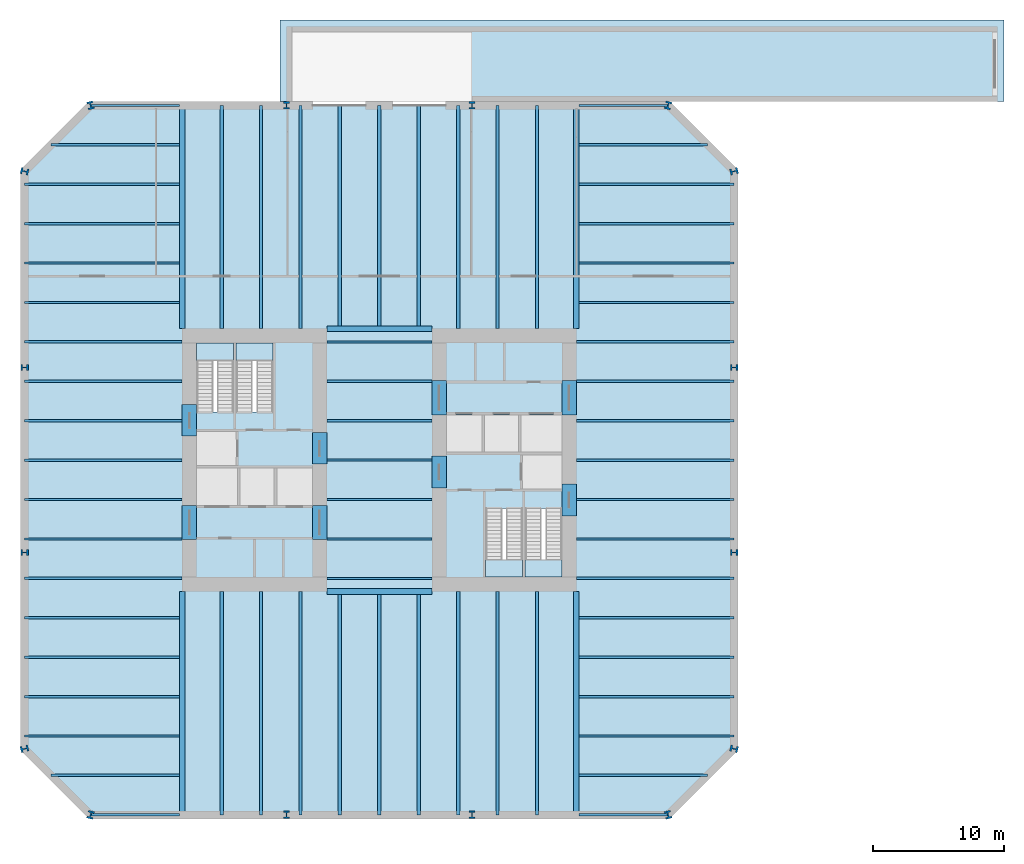
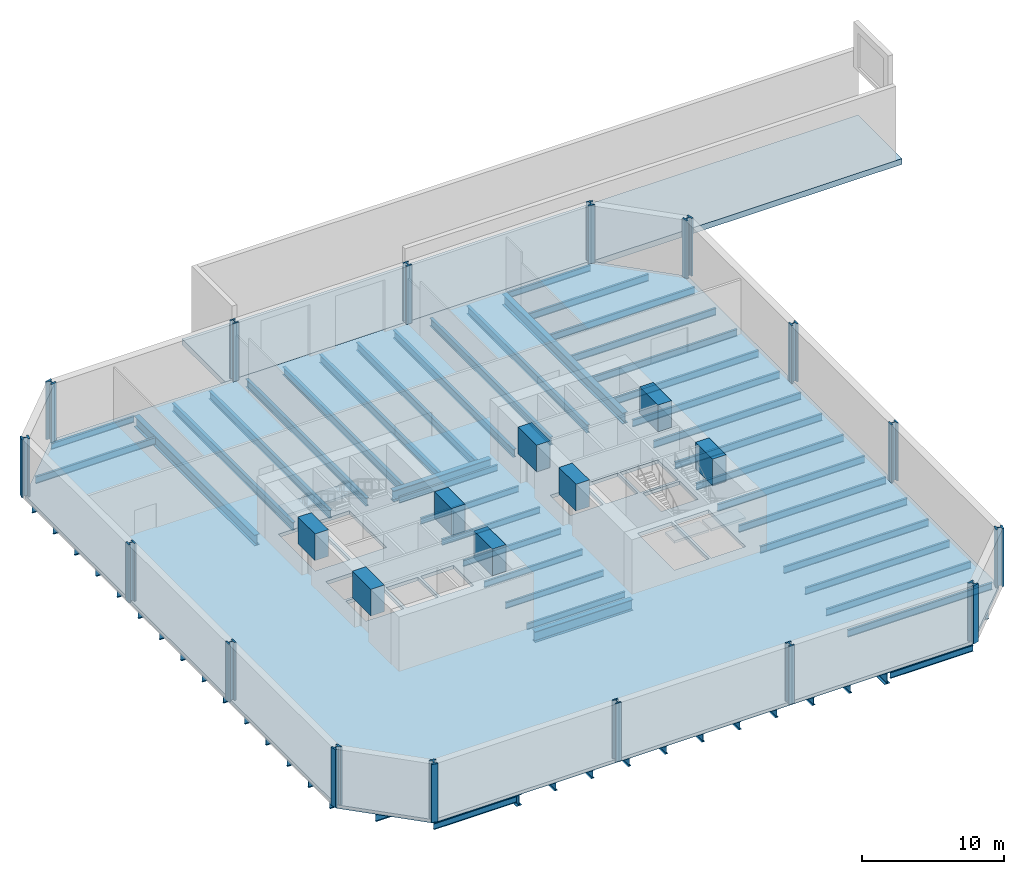
# One storey, part 1 of 6: 77 beams, 16 columns, 5 slabs, 1 footing, 4 elements without a shape of their own.
"""IFC4 building model written with IfcOpenShell, lengths in metres."""

import ifcopenshell
import ifcopenshell.guid

model = None  # the IFC model being written
_history = None  # IfcOwnerHistory: only IFC2X3 demands one
_inside = {}  # id of a spatial element -> (the spatial element, [elements in it])
_under = {}  # id of a project, library or spatial element -> (it, [spatial elements below it])
_declared = {}  # id of a project -> (the project, [libraries it declares])
_typed = {}  # id of a type object -> (the type object, [elements of that type])
_made_of = {}  # id of a material, layer set ... -> (it, [elements and type objects made of it])


def new_model(schema):
    """Start an empty IFC model of exactly this schema.

    Asked for "IFC4X3", IfcOpenShell would pick the latest addendum, in which some entities
    have other attributes; the version numbers below select the first issue.
    IFC2X3 requires an IfcOwnerHistory on every rooted entity: one is made here for all.
    """
    global model, _history
    if schema == "IFC4X3":
        model = ifcopenshell.file(schema_version=(4, 3, 0, 0))
    else:
        model = ifcopenshell.file(schema=schema)
    _inside.clear()
    _under.clear()
    _declared.clear()
    _typed.clear()
    _made_of.clear()
    _history = None
    if model.schema == "IFC2X3":
        org = make("IfcOrganization", Name="unknown")
        user = make(
            "IfcPersonAndOrganization",
            ThePerson=make("IfcPerson", FamilyName="unknown"),
            TheOrganization=org,
        )
        app = make(
            "IfcApplication",
            ApplicationDeveloper=org,
            Version="unknown",
            ApplicationFullName="unknown",
            ApplicationIdentifier="unknown",
        )
        _history = make(
            "IfcOwnerHistory",
            OwningUser=user,
            OwningApplication=app,
            ChangeAction="ADDED",
            CreationDate=0,
        )
    return model


def make(cls, **values):
    """One entity of the class cls with the attributes given. An attribute that is None is left unset."""
    return model.create_entity(
        cls, **{name: value for name, value in values.items() if value is not None}
    )


def rooted(cls, **values):
    """An entity with a GlobalId (a new one), such as an element, a storey or a relation."""
    return make(cls, GlobalId=ifcopenshell.guid.new(), OwnerHistory=_history, **values)


def si_unit(unit_type, name, prefix=None):
    """IfcSIUnit, for example si_unit("LENGTHUNIT", "METRE", prefix="MILLI")."""
    return make("IfcSIUnit", UnitType=unit_type, Prefix=prefix, Name=name)


def assignment(units):
    """IfcUnitAssignment: the units of a project."""
    return None if units is None else make("IfcUnitAssignment", Units=units)


def point(xyz):
    """IfcCartesianPoint."""
    return None if xyz is None else make("IfcCartesianPoint", Coordinates=xyz)


def direction(xyz):
    """IfcDirection."""
    return None if xyz is None else make("IfcDirection", DirectionRatios=xyz)


def frame(location, z_axis=None, x_axis=None):
    """IfcAxis2Placement3D, a coordinate frame: its origin and axes. An axis left out is left unset."""
    return make(
        "IfcAxis2Placement3D",
        Location=point(location),
        Axis=direction(z_axis),
        RefDirection=direction(x_axis),
    )


def frame_2d(location, x_axis=None):
    """IfcAxis2Placement2D, a coordinate frame in the plane: its origin and x axis."""
    return make(
        "IfcAxis2Placement2D", Location=point(location), RefDirection=direction(x_axis)
    )


def origin():
    """The frame at (0, 0, 0) with its axes left unset."""
    return frame((0.0, 0.0, 0.0))


def origin_2d():
    """The frame at (0, 0) in the plane with its x axis left unset."""
    return frame_2d((0.0, 0.0))


def place(relative_to, where):
    """IfcLocalPlacement: puts the frame where relative to a parent placement (None: the world)."""
    return make(
        "IfcLocalPlacement", PlacementRelTo=relative_to, RelativePlacement=where
    )


def context(
    kind, dimensions, precision=None, world=None, true_north=None, identifier=None
):
    """IfcGeometricRepresentationContext, for example the 3D "Model" context."""
    return make(
        "IfcGeometricRepresentationContext",
        ContextIdentifier=identifier,
        ContextType=kind,
        CoordinateSpaceDimension=dimensions,
        Precision=precision,
        WorldCoordinateSystem=world,
        TrueNorth=true_north,
    )


def subcontext(parent, identifier, kind, view, scale=None):
    """IfcGeometricRepresentationSubContext, for example "Body" below "Model"."""
    return make(
        "IfcGeometricRepresentationSubContext",
        ContextIdentifier=identifier,
        ContextType=kind,
        ParentContext=parent,
        TargetScale=scale,
        TargetView=view,
    )


def project(units=None, contexts=None):
    """IfcProject with its units and contexts."""
    return rooted(
        "IfcProject",
        Name="project",
        RepresentationContexts=contexts,
        UnitsInContext=assignment(units),
    )


def spatial(cls, under=None, at=None, **own):
    """A site, building, storey or space (cls), placed at a placement, below another one or the project."""
    s = rooted(cls, ObjectPlacement=at, **own)
    if under is not None:
        _under.setdefault(under.id(), (under, []))[1].append(s)
    return s


def polyline(points):
    """IfcPolyline through the points."""
    return make("IfcPolyline", Points=[point(p) for p in points])


def profile(cls, at=None, kind="AREA", **sizes):
    """A parametric profile (cls). Its sizes go by their IFC names, for example OverallWidth=200.0."""
    return make(cls, ProfileType=kind, Position=at, **sizes)


def rectangle(**sizes):
    """IfcRectangleProfileDef."""
    return profile("IfcRectangleProfileDef", **sizes)


def i_section(**sizes):
    """IfcIShapeProfileDef."""
    return profile("IfcIShapeProfileDef", **sizes)


def outline(outer, holes=None, kind="AREA"):
    """IfcArbitraryClosedProfileDef: a profile drawn as a closed curve; with holes, ...WithVoids."""
    if holes is None:
        return make("IfcArbitraryClosedProfileDef", ProfileType=kind, OuterCurve=outer)
    return make(
        "IfcArbitraryProfileDefWithVoids",
        ProfileType=kind,
        OuterCurve=outer,
        InnerCurves=holes,
    )


def extrude(swept, where, along, depth):
    """IfcExtrudedAreaSolid: the profile swept, set in the frame where, extruded along a direction by depth."""
    return make(
        "IfcExtrudedAreaSolid",
        SweptArea=swept,
        Position=where,
        ExtrudedDirection=direction(along),
        Depth=depth,
    )


def shape(context_of_items, identifier, shape_type, items):
    """IfcShapeRepresentation: the items that make up one representation, for example the "Body"."""
    return make(
        "IfcShapeRepresentation",
        ContextOfItems=context_of_items,
        RepresentationIdentifier=identifier,
        RepresentationType=shape_type,
        Items=items,
    )


def material(Name=None, Category=None):
    """IfcMaterial."""
    return make("IfcMaterial", Name=Name, Category=Category)


def layer(
    of_material, thickness, ventilated=None, Name=None, Category=None, Priority=None
):
    """IfcMaterialLayer: one layer of a wall or slab, of a material (None: an air gap)."""
    return make(
        "IfcMaterialLayer",
        Material=of_material,
        LayerThickness=thickness,
        IsVentilated=ventilated,
        Name=Name,
        Category=Category,
        Priority=Priority,
    )


def layer_set(layers, Name=None):
    """IfcMaterialLayerSet."""
    return make("IfcMaterialLayerSet", MaterialLayers=layers, LayerSetName=Name)


def material_profile(
    of_material, cross_section, Name=None, Category=None, Priority=None
):
    """IfcMaterialProfile: a cross section and its material."""
    return make(
        "IfcMaterialProfile",
        Name=Name,
        Material=of_material,
        Profile=cross_section,
        Priority=Priority,
        Category=Category,
    )


def profile_set(profiles, Name=None, composite=None):
    """IfcMaterialProfileSet."""
    return make(
        "IfcMaterialProfileSet",
        Name=Name,
        MaterialProfiles=profiles,
        CompositeProfile=composite,
    )


def made_of(thing, what):
    """Note that an element or type object is made of a material, layer set ...; save() writes the relation."""
    if what is not None:
        _made_of.setdefault(what.id(), (what, []))[1].append(thing)
    return thing


def type_object(cls, material=None, **own):
    """A type object (cls), such as IfcWallType, which elements share."""
    return made_of(rooted(cls, **own), material)


def element(
    cls,
    number,
    at=None,
    inside=None,
    cuts=None,
    type_object=None,
    material=None,
    context=None,
    identifier="Body",
    shape_type=None,
    held_by="IfcProductDefinitionShape",
    body=None,
    shapes=None,
    **own,
):
    """One element of the class cls, such as IfcWall. Its Tag is "e" and its number.

    at: its placement. inside: the storey or other place that contains it. cuts: it is an
    opening in that element (IfcRelVoidsElement). A single representation is given by context,
    identifier, shape_type and body (its items); several are given by shapes. held_by: the class
    of the entity that holds the representations. save() writes the other relations.
    """
    e = rooted(cls, Tag="e%d" % number, ObjectPlacement=at, **own)
    if body is not None:
        shapes = [shape(context, identifier, shape_type, body)]
    if shapes is not None:
        e.Representation = make(held_by, Representations=shapes)
    if inside is not None:
        _inside.setdefault(inside.id(), (inside, []))[1].append(e)
    if cuts is not None:
        rooted(
            "IfcRelVoidsElement", RelatingBuildingElement=cuts, RelatedOpeningElement=e
        )
    if type_object is not None:
        _typed.setdefault(type_object.id(), (type_object, []))[1].append(e)
    return made_of(e, material)


def aggregate(whole, parts):
    """IfcRelAggregates: a whole, such as a stair, and the parts it consists of."""
    return rooted("IfcRelAggregates", RelatingObject=whole, RelatedObjects=parts)


def save(model, path):
    """Write the relations noted so far, then the file.

    IfcRelAggregates (storeys below a building ...), IfcRelContainedInSpatialStructure (elements
    in a storey), IfcRelDefinesByType, IfcRelAssociatesMaterial and IfcRelDeclares: one each for
    every whole, place, type object, material and project.
    """
    for whole, parts in _under.values():
        aggregate(whole, parts)
    for where, things in _inside.values():
        rooted(
            "IfcRelContainedInSpatialStructure",
            RelatedElements=things,
            RelatingStructure=where,
        )
    for kind, things in _typed.values():
        rooted("IfcRelDefinesByType", RelatedObjects=things, RelatingType=kind)
    for what, things in _made_of.values():
        rooted("IfcRelAssociatesMaterial", RelatedObjects=things, RelatingMaterial=what)
    for by, libraries in _declared.values():
        rooted("IfcRelDeclares", RelatingContext=by, RelatedDefinitions=libraries)
    model.write(path)


model = new_model("IFC4")

# Units and contexts
model_context = context("Model", 3, precision=1e-05, world=origin(), true_north=direction((0.0, 1.0)))
body_context = subcontext(model_context, "Body", "Model", "MODEL_VIEW")
ifc_project = project(units=[si_unit("LENGTHUNIT", "METRE"), si_unit("AREAUNIT", "SQUARE_METRE"), si_unit("VOLUMEUNIT", "CUBIC_METRE"), si_unit("PLANEANGLEUNIT", "RADIAN"), si_unit("MASSUNIT", "GRAM", prefix="KILO")], contexts=[model_context])

# Site, building, storey
site_placement = place(None, origin())
site = spatial("IfcSite", under=ifc_project, at=site_placement, CompositionType="ELEMENT")
building_placement = place(site_placement, origin())
building = spatial("IfcBuilding", under=site, at=building_placement, Name="Millrace Tower", CompositionType="ELEMENT")
storey_placement = place(building_placement, frame((0.0, 0.0, -5.0)))
storey = spatial("IfcBuildingStorey", under=building, at=storey_placement, Name="B1", CompositionType="ELEMENT", Elevation=-5.0)

# Footing
ifc_material_1 = material(Name="Concrete C45", Category="concrete")
ifc_layer_1 = layer(ifc_material_1, 0.5)
ifc_layer_set_1 = layer_set([ifc_layer_1], Name="Concrete C45")
footing_type = type_object("IfcFootingType", Name="Ramp and court strip footing 500 mm", PredefinedType="STRIP_FOOTING", material=ifc_layer_set_1)
footing_placement = place(storey_placement, frame((0.0, 0.0, -0.800048828125)))
element("IfcFooting", 1, at=footing_placement, inside=storey, type_object=footing_type, Name="Loading court and service ramp strip footing", PredefinedType="STRIP_FOOTING", context=body_context, shape_type="SweptSolid", body=[
    extrude(outline(polyline([(47.550048828125, 27.300048828125), (47.550048828125, 33.5), (-7.550048828125, 33.5), (-7.550048828125, 27.300048828125), (47.550048828125, 27.300048828125)])), origin(), (0.0, 0.0, 1.0), 0.5),
])

# Columns
ifc_material_2 = material(Name="Steel ASTM A913 Grade 65", Category="steel")
ifc_material_profile_1 = material_profile(ifc_material_2, i_section(OverallWidth=0.45458984375, OverallDepth=0.56884765625, WebThickness=0.077880859375, FlangeThickness=0.124755859375, FilletRadius=0.01513671875, at=origin_2d()))
ifc_profile_set_1 = profile_set([ifc_material_profile_1], Name="Steel ASTM A913 Grade 65")
column_type_1 = type_object("IfcColumnType", Name="Exoskeleton column W14x730", PredefinedType="COLUMN", material=ifc_profile_set_1)
column_1_placement = place(storey_placement, frame((-7.050048828125, -27.0, 0.0), z_axis=(0.0, 0.0, 1.0), x_axis=(1.0, 0.0, 0.0)))
element("IfcColumn", 2, at=column_1_placement, inside=storey, type_object=column_type_1, Name="COL-A-B1-X03", PredefinedType="COLUMN", context=body_context, shape_type="SweptSolid", body=[
    extrude(i_section(OverallWidth=0.45458984375, OverallDepth=0.56884765625, WebThickness=0.077880859375, FlangeThickness=0.124755859375, FilletRadius=0.01513671875, at=origin_2d()), origin(), (0.0, 0.0, 1.0), 5.0),
])
column_2_placement = place(storey_placement, frame((7.050048828125, -27.0, 0.0), z_axis=(0.0, 0.0, 1.0), x_axis=(1.0, 0.0, 0.0)))
element("IfcColumn", 3, at=column_2_placement, inside=storey, type_object=column_type_1, Name="COL-A-B1-X04", PredefinedType="COLUMN", context=body_context, shape_type="SweptSolid", body=[
    extrude(i_section(OverallWidth=0.45458984375, OverallDepth=0.56884765625, WebThickness=0.077880859375, FlangeThickness=0.124755859375, FilletRadius=0.01513671875, at=origin_2d()), origin(), (0.0, 0.0, 1.0), 5.0),
])
column_3_placement = place(storey_placement, frame((27.0, -7.050048828125, 0.0), z_axis=(0.0, 0.0, 1.0), x_axis=(0.0, 1.0, 0.0)))
element("IfcColumn", 4, at=column_3_placement, inside=storey, type_object=column_type_1, Name="COL-A-B1-X07", PredefinedType="COLUMN", context=body_context, shape_type="SweptSolid", body=[
    extrude(i_section(OverallWidth=0.45458984375, OverallDepth=0.56884765625, WebThickness=0.077880859375, FlangeThickness=0.124755859375, FilletRadius=0.01513671875, at=origin_2d()), origin(), (0.0, 0.0, 1.0), 5.0),
])
column_4_placement = place(storey_placement, frame((27.0, 7.050048828125, 0.0), z_axis=(0.0, 0.0, 1.0), x_axis=(0.0, 1.0, 0.0)))
element("IfcColumn", 5, at=column_4_placement, inside=storey, type_object=column_type_1, Name="COL-A-B1-X08", PredefinedType="COLUMN", context=body_context, shape_type="SweptSolid", body=[
    extrude(i_section(OverallWidth=0.45458984375, OverallDepth=0.56884765625, WebThickness=0.077880859375, FlangeThickness=0.124755859375, FilletRadius=0.01513671875, at=origin_2d()), origin(), (0.0, 0.0, 1.0), 5.0),
])
column_5_placement = place(storey_placement, frame((7.050048828125, 27.0, 0.0), z_axis=(0.0, 0.0, 1.0), x_axis=(-1.0, 0.0, 0.0)))
element("IfcColumn", 6, at=column_5_placement, inside=storey, type_object=column_type_1, Name="COL-A-B1-X11", PredefinedType="COLUMN", context=body_context, shape_type="SweptSolid", body=[
    extrude(i_section(OverallWidth=0.45458984375, OverallDepth=0.56884765625, WebThickness=0.077880859375, FlangeThickness=0.124755859375, FilletRadius=0.01513671875, at=origin_2d()), origin(), (0.0, 0.0, 1.0), 5.0),
])
column_6_placement = place(storey_placement, frame((-7.050048828125, 27.0, 0.0), z_axis=(0.0, 0.0, 1.0), x_axis=(-1.0, 0.0, 0.0)))
element("IfcColumn", 7, at=column_6_placement, inside=storey, type_object=column_type_1, Name="COL-A-B1-X12", PredefinedType="COLUMN", context=body_context, shape_type="SweptSolid", body=[
    extrude(i_section(OverallWidth=0.45458984375, OverallDepth=0.56884765625, WebThickness=0.077880859375, FlangeThickness=0.124755859375, FilletRadius=0.01513671875, at=origin_2d()), origin(), (0.0, 0.0, 1.0), 5.0),
])
column_7_placement = place(storey_placement, frame((-27.0, 7.050048828125, 0.0), z_axis=(0.0, 0.0, 1.0), x_axis=(0.0, -1.0, 0.0)))
element("IfcColumn", 8, at=column_7_placement, inside=storey, type_object=column_type_1, Name="COL-A-B1-X15", PredefinedType="COLUMN", context=body_context, shape_type="SweptSolid", body=[
    extrude(i_section(OverallWidth=0.45458984375, OverallDepth=0.56884765625, WebThickness=0.077880859375, FlangeThickness=0.124755859375, FilletRadius=0.01513671875, at=origin_2d()), origin(), (0.0, 0.0, 1.0), 5.0),
])
column_8_placement = place(storey_placement, frame((-27.0, -7.050048828125, 0.0), z_axis=(0.0, 0.0, 1.0), x_axis=(0.0, -1.0, 0.0)))
element("IfcColumn", 9, at=column_8_placement, inside=storey, type_object=column_type_1, Name="COL-A-B1-X16", PredefinedType="COLUMN", context=body_context, shape_type="SweptSolid", body=[
    extrude(i_section(OverallWidth=0.45458984375, OverallDepth=0.56884765625, WebThickness=0.077880859375, FlangeThickness=0.124755859375, FilletRadius=0.01513671875, at=origin_2d()), origin(), (0.0, 0.0, 1.0), 5.0),
])
ifc_material_3 = material(Name="Steel ASTM A913 Grade 65", Category="steel")
ifc_material_profile_2 = material_profile(ifc_material_3, i_section(OverallWidth=0.4775390625, OverallDepth=0.599365234375, WebThickness=0.10009765625, FlangeThickness=0.139892578125, FilletRadius=0.014892578125, at=origin_2d()))
ifc_profile_set_2 = profile_set([ifc_material_profile_2], Name="Steel ASTM A913 Grade 65")
column_type_2 = type_object("IfcColumnType", Name="Exoskeleton column W14x873", PredefinedType="COLUMN", material=ifc_profile_set_2)
for number, where, z_axis, x_axis, name in (
    (10, (-27.0, -21.978515625, 0.0), (0.0, 0.0, 1.0), (0.244094142872, -0.969751540043, 0.0), "COL-A-B1-X01"),
    (11, (-21.978515625, -27.0, 0.0), (0.0, 0.0, 1.0), (0.969751540043, -0.244094142872, 0.0), "COL-A-B1-X02"),
    (12, (21.978515625, -27.0, 0.0), (0.0, 0.0, 1.0), (0.969751540043, 0.244094142872, 0.0), "COL-A-B1-X05"),
    (13, (27.0, -21.978515625, 0.0), (0.0, 0.0, 1.0), (0.244094142872, 0.969751540043, 0.0), "COL-A-B1-X06"),
    (14, (27.0, 21.978515625, 0.0), (0.0, 0.0, 1.0), (-0.244094142872, 0.969751540043, 0.0), "COL-A-B1-X09"),
    (15, (21.978515625, 27.0, 0.0), (0.0, 0.0, 1.0), (-0.969751540043, 0.244094142872, 0.0), "COL-A-B1-X10"),
    (16, (-21.978515625, 27.0, 0.0), (0.0, 0.0, 1.0), (-0.969751540043, -0.244094142872, 0.0), "COL-A-B1-X13"),
    (17, (-27.0, 21.978515625, 0.0), (0.0, 0.0, 1.0), (-0.244094142872, -0.969751540043, 0.0), "COL-A-B1-X14"),
):
    element("IfcColumn", number, at=place(storey_placement, frame(where, z_axis=z_axis, x_axis=x_axis)), inside=storey, type_object=column_type_2, Name=name, PredefinedType="COLUMN", context=body_context, shape_type="SweptSolid", body=[
        extrude(i_section(OverallWidth=0.4775390625, OverallDepth=0.599365234375, WebThickness=0.10009765625, FlangeThickness=0.139892578125, FilletRadius=0.014892578125, at=origin_2d()), origin(), (0.0, 0.0, 1.0), 5.0),
    ])

# Beams
ifc_material_4 = material(Name="Concrete C80", Category="concrete")
ifc_material_profile_3 = material_profile(ifc_material_4, rectangle(XDim=1.10009765625, YDim=2.300048828125, at=origin_2d()))
ifc_profile_set_3 = profile_set([ifc_material_profile_3], Name="Concrete C80")
beam_type_1 = type_object("IfcBeamType", Name="Coupling beam 1100 x 2300 Concrete C80, 1300 opening", PredefinedType="BEAM", material=ifc_profile_set_3)
for number, where, z_axis, x_axis, name in (
    (18, (-14.449951171875, 1.822509765625, 3.550048828125), (0.0, 1.0, 0.0), (-1.0, 0.0, 0.0), "Coupling beam W B1"),
    (19, (-4.550048828125, -0.3076171875, 3.550048828125), (0.0, 1.0, 0.0), (-1.0, 0.0, 0.0), "Coupling beam W B1"),
    (20, (14.449951171875, -1.822509765625, 3.550048828125), (0.0, -1.0, 0.0), (1.0, 0.0, 0.0), "Coupling beam E B1"),
    (21, (4.550048828125, 0.3076171875, 3.550048828125), (0.0, -1.0, 0.0), (1.0, 0.0, 0.0), "Coupling beam E B1"),
):
    element("IfcBeam", number, at=place(storey_placement, frame(where, z_axis=z_axis, x_axis=x_axis)), inside=storey, type_object=beam_type_1, Name=name, PredefinedType="BEAM", context=body_context, shape_type="SweptSolid", body=[
        extrude(rectangle(XDim=1.10009765625, YDim=2.300048828125, at=origin_2d()), origin(), (0.0, 0.0, 1.0), 2.4150390625),
    ])
ifc_material_5 = material(Name="Concrete C80", Category="concrete")
ifc_material_profile_4 = material_profile(ifc_material_5, rectangle(XDim=1.10009765625, YDim=2.300048828125, at=origin_2d()))
ifc_profile_set_4 = profile_set([ifc_material_profile_4], Name="Concrete C80")
beam_type_2 = type_object("IfcBeamType", Name="Coupling beam 1100 x 2300 Concrete C80, 2000 opening", PredefinedType="BEAM", material=ifc_profile_set_4)
for number, where, z_axis, x_axis, name in (
    (22, (-14.449951171875, -6.050048828125, 3.550048828125), (0.0, 1.0, 0.0), (-1.0, 0.0, 0.0), "Coupling beam W B1"),
    (23, (-4.550048828125, -6.050048828125, 3.550048828125), (0.0, 1.0, 0.0), (-1.0, 0.0, 0.0), "Coupling beam W B1"),
    (24, (14.449951171875, 6.050048828125, 3.550048828125), (0.0, -1.0, 0.0), (1.0, 0.0, 0.0), "Coupling beam E B1"),
    (25, (4.550048828125, 6.050048828125, 3.550048828125), (0.0, -1.0, 0.0), (1.0, 0.0, 0.0), "Coupling beam E B1"),
):
    element("IfcBeam", number, at=place(storey_placement, frame(where, z_axis=z_axis, x_axis=x_axis)), inside=storey, type_object=beam_type_2, Name=name, PredefinedType="BEAM", context=body_context, shape_type="SweptSolid", body=[
        extrude(rectangle(XDim=1.10009765625, YDim=2.300048828125, at=origin_2d()), origin(), (0.0, 0.0, 1.0), 2.60009765625),
    ])
ifc_material_6 = material(Name="Steel ASTM A992 Grade 50", Category="steel")
ifc_material_profile_5 = material_profile(ifc_material_6, i_section(OverallWidth=0.1650390625, OverallDepth=0.52587890625, WebThickness=0.0087890625, FlangeThickness=0.011474609375, FilletRadius=0.0126953125, at=origin_2d()))
ifc_profile_set_5 = profile_set([ifc_material_profile_5], Name="Steel ASTM A992 Grade 50")
beam_type_3 = type_object("IfcBeamType", Name="Floor beam W21x44", PredefinedType="JOIST", material=ifc_profile_set_5)
for number, where, z_axis, x_axis, name in (
    (26, (-21.978515625, -27.0, -0.56298828125), (1.0, 0.0, 0.0), (0.0, 1.0, 0.0), "BM-BASE-B1-S1-S001"),
    (27, (15.212158203125, -27.0, -0.56298828125), (1.0, 0.0, 0.0), (0.0, 1.0, 0.0), "BM-BASE-B1-S1-S002"),
):
    element("IfcBeam", number, at=place(storey_placement, frame(where, z_axis=z_axis, x_axis=x_axis)), inside=storey, type_object=beam_type_3, Name=name, PredefinedType="JOIST", context=body_context, shape_type="SweptSolid", body=[
        extrude(i_section(OverallWidth=0.1650390625, OverallDepth=0.52587890625, WebThickness=0.0087890625, FlangeThickness=0.011474609375, FilletRadius=0.0126953125, at=origin_2d()), origin(), (0.0, 0.0, 1.0), 6.766357421875),
    ])
for number, where, z_axis, x_axis, name in (
    (28, (-4.0, -9.0, -0.56298828125), (1.0, 0.0, 0.0), (0.0, 1.0, 0.0), "BM-BASE-B1-S1-S013"),
    (29, (-4.0, -6.0, -0.56298828125), (1.0, 0.0, 0.0), (0.0, 1.0, 0.0), "BM-BASE-B1-S1-S016"),
    (30, (-4.0, -3.0, -0.56298828125), (1.0, 0.0, 0.0), (0.0, 1.0, 0.0), "BM-BASE-B1-S1-S019"),
    (31, (-4.0, 0.0, -0.56298828125), (1.0, 0.0, 0.0), (0.0, 1.0, 0.0), "BM-BASE-B1-S1-S022"),
    (32, (-4.0, 3.0, -0.56298828125), (1.0, 0.0, 0.0), (0.0, 1.0, 0.0), "BM-BASE-B1-S1-S025"),
    (33, (-4.0, 6.0, -0.56298828125), (1.0, 0.0, 0.0), (0.0, 1.0, 0.0), "BM-BASE-B1-S1-S028"),
    (34, (-4.0, 9.0, -0.56298828125), (1.0, 0.0, 0.0), (0.0, 1.0, 0.0), "BM-BASE-B1-S1-S031"),
):
    element("IfcBeam", number, at=place(storey_placement, frame(where, z_axis=z_axis, x_axis=x_axis)), inside=storey, type_object=beam_type_3, Name=name, PredefinedType="JOIST", context=body_context, shape_type="SweptSolid", body=[
        extrude(i_section(OverallWidth=0.1650390625, OverallDepth=0.52587890625, WebThickness=0.0087890625, FlangeThickness=0.011474609375, FilletRadius=0.0126953125, at=origin_2d()), origin(), (0.0, 0.0, 1.0), 8.0),
    ])
for number, where, z_axis, x_axis, name in (
    (35, (-21.978515625, 27.0, -0.56298828125), (1.0, 0.0, 0.0), (0.0, 1.0, 0.0), "BM-BASE-B1-S1-S044"),
    (36, (15.212158203125, 27.0, -0.56298828125), (1.0, 0.0, 0.0), (0.0, 1.0, 0.0), "BM-BASE-B1-S1-S045"),
):
    element("IfcBeam", number, at=place(storey_placement, frame(where, z_axis=z_axis, x_axis=x_axis)), inside=storey, type_object=beam_type_3, Name=name, PredefinedType="JOIST", context=body_context, shape_type="SweptSolid", body=[
        extrude(i_section(OverallWidth=0.1650390625, OverallDepth=0.52587890625, WebThickness=0.0087890625, FlangeThickness=0.011474609375, FilletRadius=0.0126953125, at=origin_2d()), origin(), (0.0, 0.0, 1.0), 6.766357421875),
    ])
ifc_material_7 = material(Name="Steel ASTM A992 Grade 50", Category="steel")
ifc_material_profile_6 = material_profile(ifc_material_7, i_section(OverallWidth=0.177978515625, OverallDepth=0.599365234375, WebThickness=0.010009765625, FlangeThickness=0.012939453125, FilletRadius=0.012939453125, at=origin_2d()))
ifc_profile_set_6 = profile_set([ifc_material_profile_6], Name="Steel ASTM A992 Grade 50")
beam_type_4 = type_object("IfcBeamType", Name="Floor beam W24x55", PredefinedType="JOIST", material=ifc_profile_set_6)
for number, where, z_axis, x_axis, name in (
    (37, (-24.978515625, -24.0, -0.599609375), (1.0, 0.0, 0.0), (0.0, 1.0, 0.0), "BM-BASE-B1-S1-S003"),
    (38, (15.212158203125, -24.0, -0.599609375), (1.0, 0.0, 0.0), (0.0, 1.0, 0.0), "BM-BASE-B1-S1-S004"),
    (39, (-24.978515625, 24.0, -0.599609375), (1.0, 0.0, 0.0), (0.0, 1.0, 0.0), "BM-BASE-B1-S1-S042"),
    (40, (15.212158203125, 24.0, -0.599609375), (1.0, 0.0, 0.0), (0.0, 1.0, 0.0), "BM-BASE-B1-S1-S043"),
):
    element("IfcBeam", number, at=place(storey_placement, frame(where, z_axis=z_axis, x_axis=x_axis)), inside=storey, type_object=beam_type_4, Name=name, PredefinedType="JOIST", context=body_context, shape_type="SweptSolid", body=[
        extrude(i_section(OverallWidth=0.177978515625, OverallDepth=0.599365234375, WebThickness=0.010009765625, FlangeThickness=0.012939453125, FilletRadius=0.012939453125, at=origin_2d()), origin(), (0.0, 0.0, 1.0), 9.766357421875),
    ])
ifc_material_8 = material(Name="Steel ASTM A992 Grade 50", Category="steel")
ifc_material_profile_7 = material_profile(ifc_material_8, i_section(OverallWidth=0.1787109375, OverallDepth=0.60205078125, WebThickness=0.010986328125, FlangeThickness=0.014892578125, FilletRadius=0.0126953125, at=origin_2d()))
ifc_profile_set_7 = profile_set([ifc_material_profile_7], Name="Steel ASTM A992 Grade 50")
beam_type_5 = type_object("IfcBeamType", Name="Floor beam W24x62", PredefinedType="JOIST", material=ifc_profile_set_7)
for number, where, z_axis, x_axis, name in (
    (41, (-27.0, -21.0, -0.60107421875), (1.0, 0.0, 0.0), (0.0, 1.0, 0.0), "BM-BASE-B1-S1-S005"),
    (42, (15.212158203125, -21.0, -0.60107421875), (1.0, 0.0, 0.0), (0.0, 1.0, 0.0), "BM-BASE-B1-S1-S006"),
    (43, (-27.0, -18.0, -0.60107421875), (1.0, 0.0, 0.0), (0.0, 1.0, 0.0), "BM-BASE-B1-S1-S007"),
    (44, (15.212158203125, -18.0, -0.60107421875), (1.0, 0.0, 0.0), (0.0, 1.0, 0.0), "BM-BASE-B1-S1-S008"),
    (45, (-27.0, -15.0, -0.60107421875), (1.0, 0.0, 0.0), (0.0, 1.0, 0.0), "BM-BASE-B1-S1-S009"),
    (46, (15.212158203125, -15.0, -0.60107421875), (1.0, 0.0, 0.0), (0.0, 1.0, 0.0), "BM-BASE-B1-S1-S010"),
    (47, (-27.0, -12.0, -0.60107421875), (1.0, 0.0, 0.0), (0.0, 1.0, 0.0), "BM-BASE-B1-S1-S011"),
    (48, (15.212158203125, -12.0, -0.60107421875), (1.0, 0.0, 0.0), (0.0, 1.0, 0.0), "BM-BASE-B1-S1-S012"),
):
    element("IfcBeam", number, at=place(storey_placement, frame(where, z_axis=z_axis, x_axis=x_axis)), inside=storey, type_object=beam_type_5, Name=name, PredefinedType="JOIST", context=body_context, shape_type="SweptSolid", body=[
        extrude(i_section(OverallWidth=0.1787109375, OverallDepth=0.60205078125, WebThickness=0.010986328125, FlangeThickness=0.014892578125, FilletRadius=0.0126953125, at=origin_2d()), origin(), (0.0, 0.0, 1.0), 11.787841796875),
    ])
for number, where, z_axis, x_axis, name in (
    (49, (-27.0, -9.0, -0.60107421875), (1.0, 0.0, 0.0), (0.0, 1.0, 0.0), "BM-BASE-B1-S1-S014"),
    (50, (15.0, -9.0, -0.60107421875), (1.0, 0.0, 0.0), (0.0, 1.0, 0.0), "BM-BASE-B1-S1-S015"),
    (51, (-27.0, -6.0, -0.60107421875), (1.0, 0.0, 0.0), (0.0, 1.0, 0.0), "BM-BASE-B1-S1-S017"),
    (52, (15.0, -6.0, -0.60107421875), (1.0, 0.0, 0.0), (0.0, 1.0, 0.0), "BM-BASE-B1-S1-S018"),
    (53, (-27.0, -3.0, -0.60107421875), (1.0, 0.0, 0.0), (0.0, 1.0, 0.0), "BM-BASE-B1-S1-S020"),
    (54, (15.0, -3.0, -0.60107421875), (1.0, 0.0, 0.0), (0.0, 1.0, 0.0), "BM-BASE-B1-S1-S021"),
    (55, (-27.0, 0.0, -0.60107421875), (1.0, 0.0, 0.0), (0.0, 1.0, 0.0), "BM-BASE-B1-S1-S023"),
    (56, (15.0, 0.0, -0.60107421875), (1.0, 0.0, 0.0), (0.0, 1.0, 0.0), "BM-BASE-B1-S1-S024"),
    (57, (-27.0, 3.0, -0.60107421875), (1.0, 0.0, 0.0), (0.0, 1.0, 0.0), "BM-BASE-B1-S1-S026"),
    (58, (15.0, 3.0, -0.60107421875), (1.0, 0.0, 0.0), (0.0, 1.0, 0.0), "BM-BASE-B1-S1-S027"),
    (59, (-27.0, 6.0, -0.60107421875), (1.0, 0.0, 0.0), (0.0, 1.0, 0.0), "BM-BASE-B1-S1-S029"),
    (60, (15.0, 6.0, -0.60107421875), (1.0, 0.0, 0.0), (0.0, 1.0, 0.0), "BM-BASE-B1-S1-S030"),
    (61, (-27.0, 9.0, -0.60107421875), (1.0, 0.0, 0.0), (0.0, 1.0, 0.0), "BM-BASE-B1-S1-S032"),
    (62, (15.0, 9.0, -0.60107421875), (1.0, 0.0, 0.0), (0.0, 1.0, 0.0), "BM-BASE-B1-S1-S033"),
):
    element("IfcBeam", number, at=place(storey_placement, frame(where, z_axis=z_axis, x_axis=x_axis)), inside=storey, type_object=beam_type_5, Name=name, PredefinedType="JOIST", context=body_context, shape_type="SweptSolid", body=[
        extrude(i_section(OverallWidth=0.1787109375, OverallDepth=0.60205078125, WebThickness=0.010986328125, FlangeThickness=0.014892578125, FilletRadius=0.0126953125, at=origin_2d()), origin(), (0.0, 0.0, 1.0), 12.0),
    ])
for number, where, z_axis, x_axis, name in (
    (63, (-27.0, 12.0, -0.60107421875), (1.0, 0.0, 0.0), (0.0, 1.0, 0.0), "BM-BASE-B1-S1-S034"),
    (64, (15.212158203125, 12.0, -0.60107421875), (1.0, 0.0, 0.0), (0.0, 1.0, 0.0), "BM-BASE-B1-S1-S035"),
    (65, (-27.0, 15.0, -0.60107421875), (1.0, 0.0, 0.0), (0.0, 1.0, 0.0), "BM-BASE-B1-S1-S036"),
    (66, (15.212158203125, 15.0, -0.60107421875), (1.0, 0.0, 0.0), (0.0, 1.0, 0.0), "BM-BASE-B1-S1-S037"),
    (67, (-27.0, 18.0, -0.60107421875), (1.0, 0.0, 0.0), (0.0, 1.0, 0.0), "BM-BASE-B1-S1-S038"),
    (68, (15.212158203125, 18.0, -0.60107421875), (1.0, 0.0, 0.0), (0.0, 1.0, 0.0), "BM-BASE-B1-S1-S039"),
    (69, (-27.0, 21.0, -0.60107421875), (1.0, 0.0, 0.0), (0.0, 1.0, 0.0), "BM-BASE-B1-S1-S040"),
    (70, (15.212158203125, 21.0, -0.60107421875), (1.0, 0.0, 0.0), (0.0, 1.0, 0.0), "BM-BASE-B1-S1-S041"),
):
    element("IfcBeam", number, at=place(storey_placement, frame(where, z_axis=z_axis, x_axis=x_axis)), inside=storey, type_object=beam_type_5, Name=name, PredefinedType="JOIST", context=body_context, shape_type="SweptSolid", body=[
        extrude(i_section(OverallWidth=0.1787109375, OverallDepth=0.60205078125, WebThickness=0.010986328125, FlangeThickness=0.014892578125, FilletRadius=0.0126953125, at=origin_2d()), origin(), (0.0, 0.0, 1.0), 11.787841796875),
    ])
ifc_material_9 = material(Name="Steel ASTM A992 Grade 50", Category="steel")
ifc_material_profile_8 = material_profile(ifc_material_9, i_section(OverallWidth=0.256591796875, OverallDepth=0.693359375, WebThickness=0.014404296875, FlangeThickness=0.023681640625, FilletRadius=0.01513671875, at=origin_2d()))
ifc_profile_set_8 = profile_set([ifc_material_profile_8], Name="Steel ASTM A992 Grade 50")
beam_type_6 = type_object("IfcBeamType", Name="Floor beam W27x114", PredefinedType="JOIST", material=ifc_profile_set_8)
for number, where, z_axis, x_axis, name in (
    (71, (-12.0, 10.0, -0.646728515625), (0.0, 1.0, 0.0), (-1.0, 0.0, 0.0), "BM-BASE-B1-S1-S046"),
    (72, (-12.0, -27.0, -0.646728515625), (0.0, 1.0, 0.0), (-1.0, 0.0, 0.0), "BM-BASE-B1-S1-S047"),
    (73, (-9.0, 10.0, -0.646728515625), (0.0, 1.0, 0.0), (-1.0, 0.0, 0.0), "BM-BASE-B1-S1-S048"),
    (74, (-9.0, -27.0, -0.646728515625), (0.0, 1.0, 0.0), (-1.0, 0.0, 0.0), "BM-BASE-B1-S1-S049"),
    (75, (-6.0, 10.0, -0.646728515625), (0.0, 1.0, 0.0), (-1.0, 0.0, 0.0), "BM-BASE-B1-S1-S050"),
    (76, (-6.0, -27.0, -0.646728515625), (0.0, 1.0, 0.0), (-1.0, 0.0, 0.0), "BM-BASE-B1-S1-S051"),
):
    element("IfcBeam", number, at=place(storey_placement, frame(where, z_axis=z_axis, x_axis=x_axis)), inside=storey, type_object=beam_type_6, Name=name, PredefinedType="JOIST", context=body_context, shape_type="SweptSolid", body=[
        extrude(i_section(OverallWidth=0.256591796875, OverallDepth=0.693359375, WebThickness=0.014404296875, FlangeThickness=0.023681640625, FilletRadius=0.01513671875, at=origin_2d()), origin(), (0.0, 0.0, 1.0), 17.0),
    ])
for number, where, z_axis, x_axis, name in (
    (77, (-3.0, 10.212158203125, -0.646728515625), (0.0, 1.0, 0.0), (-1.0, 0.0, 0.0), "BM-BASE-B1-S1-S052"),
    (78, (-3.0, -27.0, -0.646728515625), (0.0, 1.0, 0.0), (-1.0, 0.0, 0.0), "BM-BASE-B1-S1-S053"),
    (79, (0.0, 10.212158203125, -0.646728515625), (0.0, 1.0, 0.0), (-1.0, 0.0, 0.0), "BM-BASE-B1-S1-S054"),
    (80, (0.0, -27.0, -0.646728515625), (0.0, 1.0, 0.0), (-1.0, 0.0, 0.0), "BM-BASE-B1-S1-S055"),
    (81, (3.0, 10.212158203125, -0.646728515625), (0.0, 1.0, 0.0), (-1.0, 0.0, 0.0), "BM-BASE-B1-S1-S056"),
    (82, (3.0, -27.0, -0.646728515625), (0.0, 1.0, 0.0), (-1.0, 0.0, 0.0), "BM-BASE-B1-S1-S057"),
):
    element("IfcBeam", number, at=place(storey_placement, frame(where, z_axis=z_axis, x_axis=x_axis)), inside=storey, type_object=beam_type_6, Name=name, PredefinedType="JOIST", context=body_context, shape_type="SweptSolid", body=[
        extrude(i_section(OverallWidth=0.256591796875, OverallDepth=0.693359375, WebThickness=0.014404296875, FlangeThickness=0.023681640625, FilletRadius=0.01513671875, at=origin_2d()), origin(), (0.0, 0.0, 1.0), 16.787841796875),
    ])
for number, where, z_axis, x_axis, name in (
    (83, (6.0, 10.0, -0.646728515625), (0.0, 1.0, 0.0), (-1.0, 0.0, 0.0), "BM-BASE-B1-S1-S058"),
    (84, (6.0, -27.0, -0.646728515625), (0.0, 1.0, 0.0), (-1.0, 0.0, 0.0), "BM-BASE-B1-S1-S059"),
    (85, (9.0, 10.0, -0.646728515625), (0.0, 1.0, 0.0), (-1.0, 0.0, 0.0), "BM-BASE-B1-S1-S060"),
    (86, (9.0, -27.0, -0.646728515625), (0.0, 1.0, 0.0), (-1.0, 0.0, 0.0), "BM-BASE-B1-S1-S061"),
    (87, (12.0, 10.0, -0.646728515625), (0.0, 1.0, 0.0), (-1.0, 0.0, 0.0), "BM-BASE-B1-S1-S062"),
    (88, (12.0, -27.0, -0.646728515625), (0.0, 1.0, 0.0), (-1.0, 0.0, 0.0), "BM-BASE-B1-S1-S063"),
):
    element("IfcBeam", number, at=place(storey_placement, frame(where, z_axis=z_axis, x_axis=x_axis)), inside=storey, type_object=beam_type_6, Name=name, PredefinedType="JOIST", context=body_context, shape_type="SweptSolid", body=[
        extrude(i_section(OverallWidth=0.256591796875, OverallDepth=0.693359375, WebThickness=0.014404296875, FlangeThickness=0.023681640625, FilletRadius=0.01513671875, at=origin_2d()), origin(), (0.0, 0.0, 1.0), 17.0),
    ])
ifc_material_10 = material(Name="Steel ASTM A992 Grade 50", Category="steel")
ifc_material_profile_9 = material_profile(ifc_material_10, i_section(OverallWidth=0.424072265625, OverallDepth=0.947509765625, WebThickness=0.02392578125, FlangeThickness=0.042724609375, FilletRadius=0.024169921875, at=origin_2d()))
ifc_profile_set_9 = profile_set([ifc_material_profile_9], Name="Steel ASTM A992 Grade 50")
beam_type_7 = type_object("IfcBeamType", Name="Girder medium span W36x302", PredefinedType="BEAM", material=ifc_profile_set_9)
for number, where, z_axis, x_axis, name in (
    (89, (-15.0, 10.0, -0.773681640625), (0.0, 1.0, 0.0), (-1.0, 0.0, 0.0), "BM-BASE-B1-S1-G064"),
    (90, (-15.0, -27.0, -0.773681640625), (0.0, 1.0, 0.0), (-1.0, 0.0, 0.0), "BM-BASE-B1-S1-G065"),
    (91, (15.0, 10.0, -0.773681640625), (0.0, 1.0, 0.0), (-1.0, 0.0, 0.0), "BM-BASE-B1-S1-G066"),
    (92, (15.0, -27.0, -0.773681640625), (0.0, 1.0, 0.0), (-1.0, 0.0, 0.0), "BM-BASE-B1-S1-G067"),
):
    element("IfcBeam", number, at=place(storey_placement, frame(where, z_axis=z_axis, x_axis=x_axis)), inside=storey, type_object=beam_type_7, Name=name, PredefinedType="BEAM", context=body_context, shape_type="SweptSolid", body=[
        extrude(i_section(OverallWidth=0.424072265625, OverallDepth=0.947509765625, WebThickness=0.02392578125, FlangeThickness=0.042724609375, FilletRadius=0.024169921875, at=origin_2d()), origin(), (0.0, 0.0, 1.0), 17.0),
    ])
ifc_material_11 = material(Name="Steel ASTM A992 Grade 50", Category="steel")
ifc_material_profile_10 = material_profile(ifc_material_11, i_section(OverallWidth=0.424072265625, OverallDepth=0.947509765625, WebThickness=0.02392578125, FlangeThickness=0.042724609375, FilletRadius=0.024169921875, at=origin_2d()))
ifc_profile_set_10 = profile_set([ifc_material_profile_10], Name="Steel ASTM A992 Grade 50")
beam_type_8 = type_object("IfcBeamType", Name="Girder short span W36x302", PredefinedType="BEAM", material=ifc_profile_set_10)
for number, where, z_axis, x_axis, name in (
    (93, (-4.0, 10.0, -0.773681640625), (1.0, 0.0, 0.0), (0.0, 1.0, 0.0), "BM-BASE-B1-S1-G068"),
    (94, (-4.0, -10.0, -0.773681640625), (1.0, 0.0, 0.0), (0.0, 1.0, 0.0), "BM-BASE-B1-S1-G069"),
):
    element("IfcBeam", number, at=place(storey_placement, frame(where, z_axis=z_axis, x_axis=x_axis)), inside=storey, type_object=beam_type_8, Name=name, PredefinedType="BEAM", context=body_context, shape_type="SweptSolid", body=[
        extrude(i_section(OverallWidth=0.424072265625, OverallDepth=0.947509765625, WebThickness=0.02392578125, FlangeThickness=0.042724609375, FilletRadius=0.024169921875, at=origin_2d()), origin(), (0.0, 0.0, 1.0), 8.0),
    ])

# Slab
ifc_material_12 = material(Name="Concrete C35", Category="concrete")
ifc_layer_2 = layer(ifc_material_12, 0.300048828125)
ifc_layer_set_2 = layer_set([ifc_layer_2], Name="Concrete C35")
slab_type_1 = type_object("IfcSlabType", Name="Basement floor slab 300 mm", PredefinedType="FLOOR", material=ifc_layer_set_2)
slab_1_placement = place(storey_placement, frame((0.0, 0.0, -0.300048828125)))
element("IfcSlab", 95, at=slab_1_placement, inside=storey, type_object=slab_type_1, Name="SL-BASE-B1-S1", PredefinedType="FLOOR", context=body_context, shape_type="SweptSolid", body=[
    extrude(outline(polyline([(-27.0, -21.978515625), (-21.978515625, -27.0), (21.978515625, -27.0), (27.0, -21.978515625), (27.0, 21.978515625), (21.978515625, 27.0), (-21.978515625, 27.0), (-27.0, 21.978515625), (-27.0, -21.978515625)]), holes=[polyline([(-13.89990234375, -3.449951171875), (-10.800048828125, -3.449951171875), (-10.800048828125, -0.60009765625), (-13.89990234375, -0.60009765625), (-13.89990234375, -3.449951171875)]), polyline([(-10.60009765625, -3.449951171875), (-8.0, -3.449951171875), (-8.0, -0.60009765625), (-10.60009765625, -0.60009765625), (-10.60009765625, -3.449951171875)]), polyline([(-7.800048828125, -3.449951171875), (-5.10009765625, -3.449951171875), (-5.10009765625, -0.60009765625), (-7.800048828125, -0.60009765625), (-7.800048828125, -3.449951171875)]), polyline([(-13.89990234375, -0.39990234375), (-10.89990234375, -0.39990234375), (-10.89990234375, 2.179931640625), (-13.89990234375, 2.179931640625), (-13.89990234375, -0.39990234375)]), polyline([(-13.89990234375, 3.679931640625), (-11.10009765625, 3.679931640625), (-11.10009765625, 8.89990234375), (-13.89990234375, 8.89990234375), (-13.89990234375, 3.679931640625)]), polyline([(-10.89990234375, 3.679931640625), (-8.10009765625, 3.679931640625), (-8.10009765625, 8.89990234375), (-10.89990234375, 8.89990234375), (-10.89990234375, 3.679931640625)]), polyline([(10.800048828125, 0.60009765625), (13.89990234375, 0.60009765625), (13.89990234375, 3.449951171875), (10.800048828125, 3.449951171875), (10.800048828125, 0.60009765625)]), polyline([(8.0, 0.60009765625), (10.60009765625, 0.60009765625), (10.60009765625, 3.449951171875), (8.0, 3.449951171875), (8.0, 0.60009765625)]), polyline([(5.10009765625, 0.60009765625), (7.800048828125, 0.60009765625), (7.800048828125, 3.449951171875), (5.10009765625, 3.449951171875), (5.10009765625, 0.60009765625)]), polyline([(10.89990234375, -2.179931640625), (13.89990234375, -2.179931640625), (13.89990234375, 0.39990234375), (10.89990234375, 0.39990234375), (10.89990234375, -2.179931640625)]), polyline([(11.10009765625, -8.89990234375), (13.89990234375, -8.89990234375), (13.89990234375, -3.679931640625), (11.10009765625, -3.679931640625), (11.10009765625, -8.89990234375)]), polyline([(8.10009765625, -8.89990234375), (10.89990234375, -8.89990234375), (10.89990234375, -3.679931640625), (8.10009765625, -3.679931640625), (8.10009765625, -8.89990234375)])]), origin(), (0.0, 0.0, 1.0), 0.300048828125),
])

# Stair, slab
ifc_material_13 = material(Name="Concrete C35", Category="concrete")
stair_type = type_object("IfcStairType", Name="Exit stair", PredefinedType="HALF_TURN_STAIR", material=ifc_material_13)
placement_1 = place(storey_placement, origin())
stair_1 = element("IfcStair", 96, at=placement_1, inside=storey, type_object=stair_type, Name="Stair 1 W B1", PredefinedType="HALF_TURN_STAIR")
ifc_material_14 = material(Name="Concrete C40", Category="concrete")
ifc_layer_3 = layer(ifc_material_14, 0.199951171875)
ifc_layer_set_3 = layer_set([ifc_layer_3], Name="Concrete C40")
slab_type_2 = type_object("IfcSlabType", Name="Stair landing", PredefinedType="LANDING", material=ifc_layer_set_3)
placement_2 = place(storey_placement, frame((0.0, 0.0, 2.300048828125)))
slab_2 = element("IfcSlab", 97, at=placement_2, type_object=slab_type_2, Name="ST12 landing 1", PredefinedType="LANDING", context=body_context, shape_type="SweptSolid", body=[
    extrude(outline(polyline([(-13.89990234375, 7.60009765625), (-11.10009765625, 7.60009765625), (-11.10009765625, 8.89990234375), (-13.89990234375, 8.89990234375), (-13.89990234375, 7.60009765625)])), origin(), (0.0, 0.0, 1.0), 0.199951171875),
])
aggregate(stair_1, [slab_2])

stair_2 = element("IfcStair", 98, at=placement_1, inside=storey, type_object=stair_type, Name="Stair 2 W B1", PredefinedType="HALF_TURN_STAIR")
slab_3 = element("IfcSlab", 99, at=placement_2, type_object=slab_type_2, Name="ST12 landing 1", PredefinedType="LANDING", context=body_context, shape_type="SweptSolid", body=[
    extrude(outline(polyline([(-10.89990234375, 7.60009765625), (-8.10009765625, 7.60009765625), (-8.10009765625, 8.89990234375), (-10.89990234375, 8.89990234375), (-10.89990234375, 7.60009765625)])), origin(), (0.0, 0.0, 1.0), 0.199951171875),
])
aggregate(stair_2, [slab_3])

stair_3 = element("IfcStair", 100, at=placement_1, inside=storey, type_object=stair_type, Name="Stair 1 E B1", PredefinedType="HALF_TURN_STAIR")
slab_4 = element("IfcSlab", 101, at=placement_2, type_object=slab_type_2, Name="ST12 landing 1", PredefinedType="LANDING", context=body_context, shape_type="SweptSolid", body=[
    extrude(outline(polyline([(11.10009765625, -8.89990234375), (13.89990234375, -8.89990234375), (13.89990234375, -7.60009765625), (11.10009765625, -7.60009765625), (11.10009765625, -8.89990234375)])), origin(), (0.0, 0.0, 1.0), 0.199951171875),
])
aggregate(stair_3, [slab_4])

stair_4 = element("IfcStair", 102, at=placement_1, inside=storey, type_object=stair_type, Name="Stair 2 E B1", PredefinedType="HALF_TURN_STAIR")
slab_5 = element("IfcSlab", 103, at=placement_2, type_object=slab_type_2, Name="ST12 landing 1", PredefinedType="LANDING", context=body_context, shape_type="SweptSolid", body=[
    extrude(outline(polyline([(8.10009765625, -8.89990234375), (10.89990234375, -8.89990234375), (10.89990234375, -7.60009765625), (8.10009765625, -7.60009765625), (8.10009765625, -8.89990234375)])), origin(), (0.0, 0.0, 1.0), 0.199951171875),
])
aggregate(stair_4, [slab_5])

save(model, "model.ifc")
